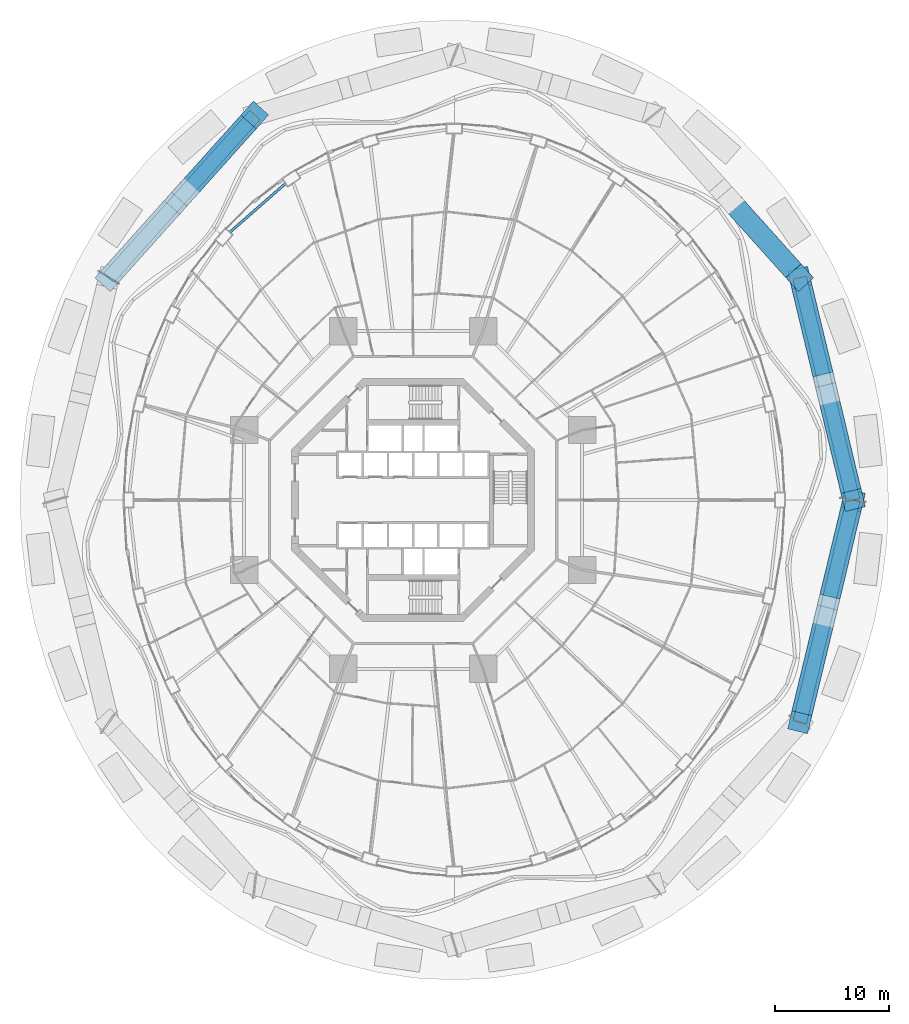
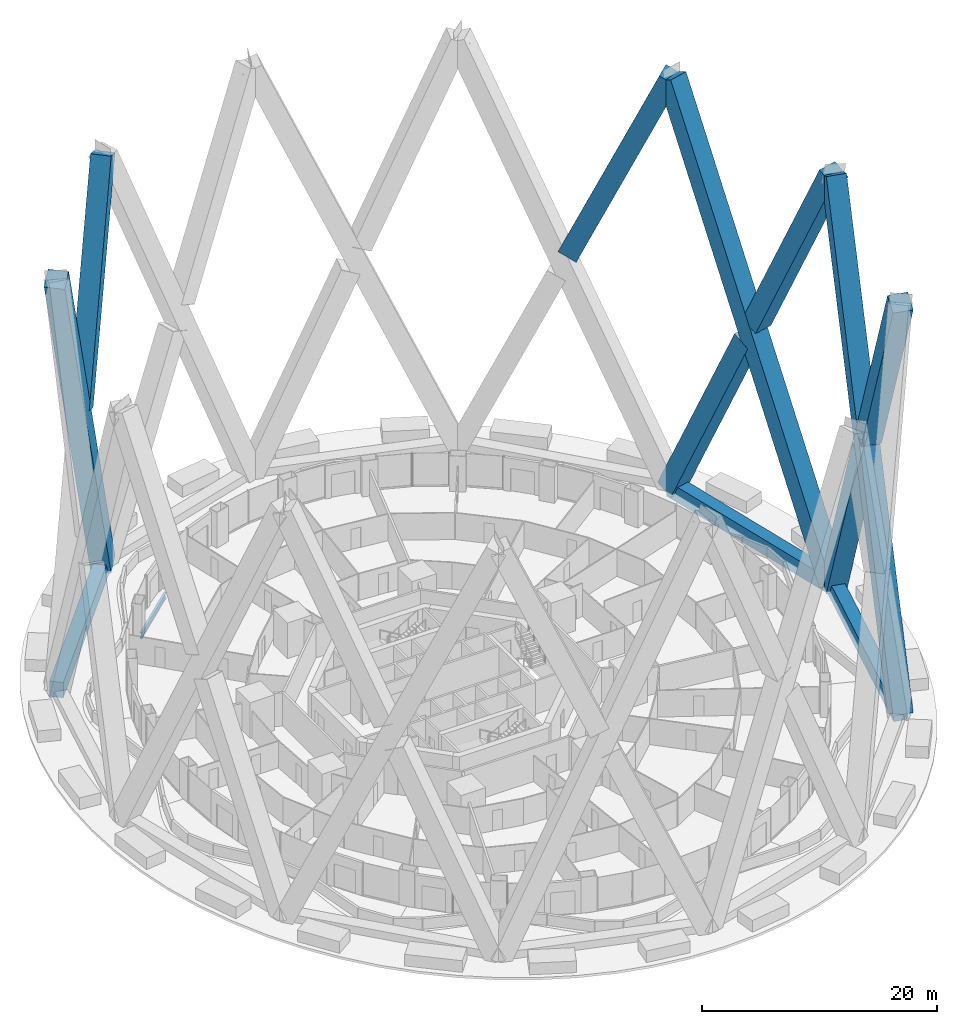
# One storey, part 24 of 42: 12 members, 1 beam.
"""IFC4 building model written with IfcOpenShell, lengths in metres."""

from ifc_helpers import new_model, si_unit, direction, frame, origin, origin_2d, place, context, subcontext, project, spatial, rectangle, i_section, extrude, material, material_profile, profile_set, type_object, element, save


model = new_model("IFC4")

# Units and contexts
model_context = context("Model", 3, precision=1e-05, world=origin(), true_north=direction((0.0, 1.0)))
body_context = subcontext(model_context, "Body", "Model", "MODEL_VIEW")
ifc_project = project(units=[si_unit("LENGTHUNIT", "METRE"), si_unit("AREAUNIT", "SQUARE_METRE"), si_unit("VOLUMEUNIT", "CUBIC_METRE"), si_unit("PLANEANGLEUNIT", "RADIAN"), si_unit("MASSUNIT", "GRAM", prefix="KILO")], contexts=[model_context])

# Site, building, storey
site_placement = place(None, origin())
site = spatial("IfcSite", under=ifc_project, at=site_placement, CompositionType="ELEMENT")
building_placement = place(site_placement, origin())
building = spatial("IfcBuilding", under=site, at=building_placement, Name="Nagisa Residences", CompositionType="ELEMENT")
storey_placement = place(building_placement, frame((0.0, 0.0, 27.0)))
storey = spatial("IfcBuildingStorey", under=building, at=storey_placement, Name="L05", CompositionType="ELEMENT", Elevation=27.0)

# Members
ifc_material_1 = material(Name="Concrete C80", Category="concrete")
ifc_material_profile_1 = material_profile(ifc_material_1, rectangle(XDim=1.800048828125, YDim=1.800048828125, at=origin_2d()), Name="C80 1800x1800")
ifc_profile_set_1 = profile_set([ifc_material_profile_1], Name="Concrete C80")
member_type_1 = type_object("IfcMemberType", Name="Cage diagonal 1 C80 1800x1800", PredefinedType="BRACE", material=ifc_profile_set_1)
member_1_placement = place(storey_placement, frame((38.5, 0.0, 0.0), z_axis=(-0.09935140219, 0.413274235497, 0.905170539267), x_axis=(-0.972298827792, -0.233741287483, 0.0)))
element("IfcMember", 1, at=member_1_placement, inside=storey, type_object=member_type_1, Name="mem:L05:cg1d101", PredefinedType="BRACE", context=body_context, shape_type="SweptSolid", body=[
    extrude(rectangle(XDim=1.800048828125, YDim=1.800048828125, at=origin_2d()), origin(), (0.0, 0.0, 1.0), 47.06298828125),
])
member_2_placement = place(storey_placement, frame((33.82421875, 19.449951171875, 0.0), z_axis=(0.099349472142, -0.413268934021, 0.905173171586), x_axis=(0.972299178317, 0.23373982939, 0.0)))
element("IfcMember", 2, at=member_2_placement, inside=storey, type_object=member_type_1, Name="mem:L05:cg1d102a", PredefinedType="BRACE", context=body_context, shape_type="SweptSolid", body=[
    extrude(rectangle(XDim=1.800048828125, YDim=1.800048828125, at=origin_2d()), origin(), (0.0, 0.0, 1.0), 22.3818359375),
])
member_3_placement = place(storey_placement, frame((36.2763671875, 9.25, 22.340576171875), z_axis=(0.099349024281, -0.413277978915, 0.905169091119), x_axis=(0.972300580352, 0.233733997198, 0.0)))
element("IfcMember", 3, at=member_3_placement, inside=storey, type_object=member_type_1, Name="mem:L05:cg1d102b", PredefinedType="BRACE", context=body_context, shape_type="SweptSolid", body=[
    extrude(rectangle(XDim=1.800048828125, YDim=1.800048828125, at=origin_2d()), origin(), (0.0, 0.0, 1.0), 22.382080078125),
])
member_4_placement = place(storey_placement, frame((27.760986328125, 26.2080078125, 22.38037109375), z_axis=(0.273554239164, -0.304902552619, 0.912251342362), x_axis=(0.744334814067, 0.667806622136, 0.0)))
element("IfcMember", 4, at=member_4_placement, inside=storey, type_object=member_type_1, Name="mem:L05:cg1d104b", PredefinedType="BRACE", context=body_context, shape_type="SweptSolid", body=[
    extrude(rectangle(XDim=1.800048828125, YDim=1.800048828125, at=origin_2d()), origin(), (0.0, 0.0, 1.0), 22.16455078125),
])
member_5_placement = place(storey_placement, frame((-13.85009765625, 33.6884765625, 0.0), z_axis=(-0.273549790011, -0.304907923919, 0.912250881236), x_axis=(0.744346060554, -0.66779408663, 0.0)))
element("IfcMember", 5, at=member_5_placement, inside=storey, type_object=member_type_1, Name="mem:L05:cg1d109", PredefinedType="BRACE", context=body_context, shape_type="SweptSolid", body=[
    extrude(rectangle(XDim=1.800048828125, YDim=1.800048828125, at=origin_2d()), origin(), (0.0, 0.0, 1.0), 46.69775390625),
])
member_6_placement = place(storey_placement, frame((-19.9130859375, 26.93017578125, 22.38037109375), z_axis=(0.273543129809, 0.304913462164, 0.912251027254), x_axis=(-0.744360171506, 0.667778357748, 0.0)))
element("IfcMember", 6, at=member_6_placement, inside=storey, type_object=member_type_1, Name="mem:L05:cg1d110b", PredefinedType="BRACE", context=body_context, shape_type="SweptSolid", body=[
    extrude(rectangle(XDim=1.800048828125, YDim=1.800048828125, at=origin_2d()), origin(), (0.0, 0.0, 1.0), 22.16455078125),
])
member_7_placement = place(storey_placement, frame((33.82421875, -19.449951171875, 0.0), z_axis=(0.09935140219, 0.413274235497, 0.905170539267), x_axis=(-0.972298827792, 0.233741287483, 0.0)))
element("IfcMember", 7, at=member_7_placement, inside=storey, type_object=member_type_1, Name="mem:L05:cg1d123", PredefinedType="BRACE", context=body_context, shape_type="SweptSolid", body=[
    extrude(rectangle(XDim=1.800048828125, YDim=1.800048828125, at=origin_2d()), origin(), (0.0, 0.0, 1.0), 47.06298828125),
])
member_8_placement = place(storey_placement, frame((38.5, 0.0, 0.0), z_axis=(-0.099349024281, -0.413277978915, 0.905169091119), x_axis=(0.972300580352, -0.233733997198, 0.0)))
element("IfcMember", 8, at=member_8_placement, inside=storey, type_object=member_type_1, Name="mem:L05:cg1d124a", PredefinedType="BRACE", context=body_context, shape_type="SweptSolid", body=[
    extrude(rectangle(XDim=1.800048828125, YDim=1.800048828125, at=origin_2d()), origin(), (0.0, 0.0, 1.0), 22.382080078125),
])
member_9_placement = place(storey_placement, frame((36.0478515625, -10.2001953125, 22.340576171875), z_axis=(-0.099349472142, -0.413268934021, 0.905173171586), x_axis=(0.972299178317, -0.23373982939, 0.0)))
element("IfcMember", 9, at=member_9_placement, inside=storey, type_object=member_type_1, Name="mem:L05:cg1d124b", PredefinedType="BRACE", context=body_context, shape_type="SweptSolid", body=[
    extrude(rectangle(XDim=1.800048828125, YDim=1.800048828125, at=origin_2d()), origin(), (0.0, 0.0, 1.0), 22.3818359375),
])
ifc_material_2 = material(Name="Concrete C80", Category="concrete")
ifc_material_profile_2 = material_profile(ifc_material_2, rectangle(XDim=1.199951171875, YDim=1.60009765625, at=origin_2d()), Name="C80 1200x1600")
ifc_profile_set_2 = profile_set([ifc_material_profile_2], Name="Concrete C80")
member_type_2 = type_object("IfcMemberType", Name="Cage ring 1 C80 1200x1600", PredefinedType="CHORD", material=ifc_profile_set_2)
member_10_placement = place(storey_placement, frame((38.5, 0.0, 0.0), z_axis=(-0.233741287483, 0.972298827792, 0.0), x_axis=(-0.972298827792, -0.233741287483, 0.0)))
element("IfcMember", 10, at=member_10_placement, inside=storey, type_object=member_type_2, Name="beam:L05:cg1r101", PredefinedType="CHORD", context=body_context, shape_type="SweptSolid", body=[
    extrude(rectangle(XDim=1.199951171875, YDim=1.60009765625, at=origin_2d()), origin(), (0.0, 0.0, 1.0), 20.004150390625),
])
member_11_placement = place(storey_placement, frame((-13.85009765625, 33.6884765625, 0.0), z_axis=(-0.66779408663, -0.744346060554, 0.0), x_axis=(0.744346060554, -0.66779408663, 0.0)))
element("IfcMember", 11, at=member_11_placement, inside=storey, type_object=member_type_2, Name="beam:L05:cg1r105", PredefinedType="CHORD", context=body_context, shape_type="SweptSolid", body=[
    extrude(rectangle(XDim=1.199951171875, YDim=1.60009765625, at=origin_2d()), origin(), (0.0, 0.0, 1.0), 19.12890625),
])
member_12_placement = place(storey_placement, frame((33.82421875, -19.449951171875, 0.0), z_axis=(0.233741287483, 0.972298827792, 0.0), x_axis=(-0.972298827792, 0.233741287483, 0.0)))
element("IfcMember", 12, at=member_12_placement, inside=storey, type_object=member_type_2, Name="beam:L05:cg1r112", PredefinedType="CHORD", context=body_context, shape_type="SweptSolid", body=[
    extrude(rectangle(XDim=1.199951171875, YDim=1.60009765625, at=origin_2d()), origin(), (0.0, 0.0, 1.0), 20.004150390625),
])

# Beam
ifc_material_3 = material(Name="Steel ASTM A572 Gr 50", Category="steel")
ifc_material_profile_3 = material_profile(ifc_material_3, i_section(OverallWidth=0.22802734375, OverallDepth=0.60302734375, WebThickness=0.010498046875, FlangeThickness=0.014892578125, at=origin_2d()), Name="W610x101")
ifc_profile_set_3 = profile_set([ifc_material_profile_3], Name="Steel ASTM A572 Gr 50")
beam_type = type_object("IfcBeamType", Name="Perimeter ring beam W610x101", PredefinedType="BEAM", material=ifc_profile_set_3)
beam_placement = place(storey_placement, frame((-11.166748046875, 27.693603515625, -0.5615234375), z_axis=(-0.752574357292, -0.658507279191, 0.0), x_axis=(0.658507279191, -0.752574357292, 0.0)))
element("IfcBeam", 13, at=beam_placement, inside=storey, type_object=beam_type, Name="beam:L05:pb09", PredefinedType="BEAM", context=body_context, shape_type="SweptSolid", body=[
    extrude(i_section(OverallWidth=0.22802734375, OverallDepth=0.60302734375, WebThickness=0.010498046875, FlangeThickness=0.014892578125, at=origin_2d()), origin(), (0.0, 0.0, 1.0), 6.47021484375),
])

save(model, "model.ifc")
